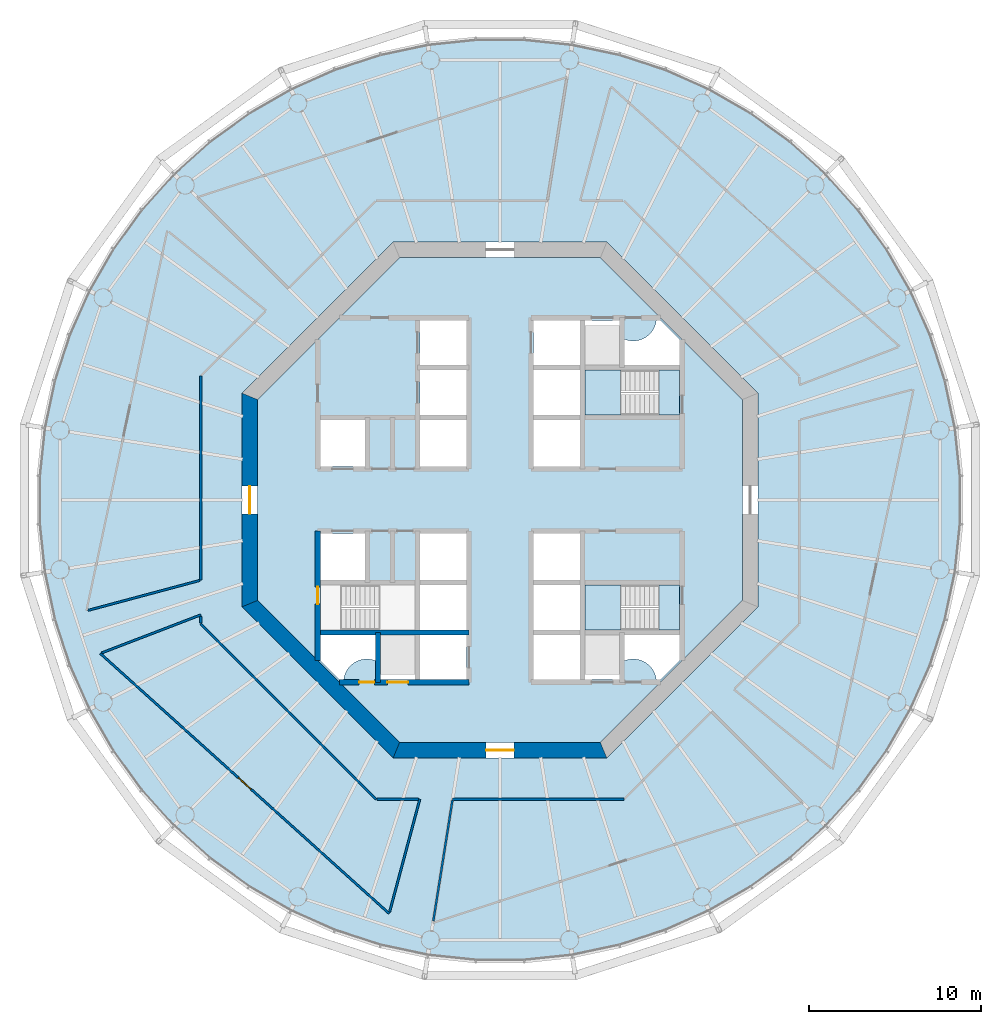
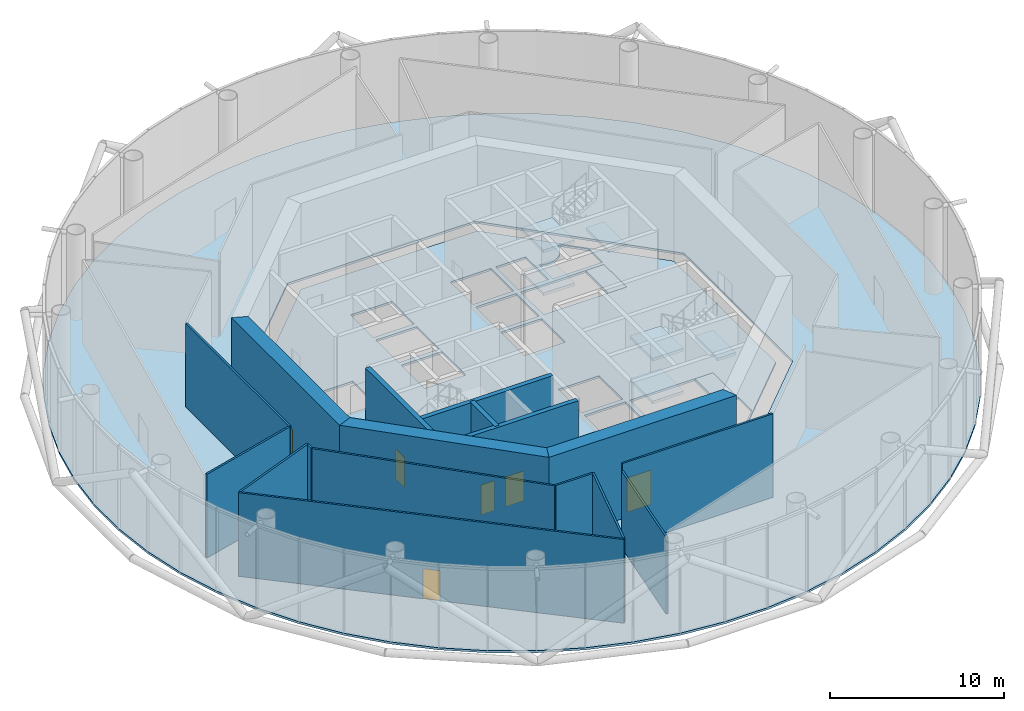
# One storey, part 3 of 14: 17 walls, 10 slabs, 6 doors, 6 openings, 2 elements without a shape of their own.
"""IFC4 building model written with IfcOpenShell, lengths in metres."""

from ifc_helpers import new_model, si_unit, direction, frame, frame_2d, origin, place, context, subcontext, project, spatial, polyline, rectangle, outline, extrude, material, layer, layer_set, type_object, element, fill, aggregate, save


model = new_model("IFC4")

# Units and contexts
model_context = context("Model", 3, precision=1e-05, world=origin(), true_north=direction((0.0, 1.0)))
body_context = subcontext(model_context, "Body", "Model", "MODEL_VIEW")
ifc_project = project(units=[si_unit("LENGTHUNIT", "METRE"), si_unit("AREAUNIT", "SQUARE_METRE"), si_unit("VOLUMEUNIT", "CUBIC_METRE"), si_unit("PLANEANGLEUNIT", "RADIAN"), si_unit("MASSUNIT", "GRAM", prefix="KILO")], contexts=[model_context])

# Site, building, storey
site_placement = place(None, origin())
site = spatial("IfcSite", under=ifc_project, at=site_placement, CompositionType="ELEMENT")
building_placement = place(site_placement, origin())
building = spatial("IfcBuilding", under=site, at=building_placement, Name="Entoto Ring Tower", CompositionType="ELEMENT")
storey_placement = place(building_placement, frame((0.0, 0.0, 262.0)))
storey = spatial("IfcBuildingStorey", under=building, at=storey_placement, Name="L60", CompositionType="ELEMENT", Elevation=262.0)

# Slabs
ifc_material_1 = material(Name="Concrete C30/37", Category="concrete")
ifc_layer_1 = layer(ifc_material_1, 0.14990234375)
ifc_layer_set_1 = layer_set([ifc_layer_1], Name="Concrete C30/37")
slab_type_1 = type_object("IfcSlabType", Name="Composite floor slab 150 mm", PredefinedType="FLOOR", material=ifc_layer_set_1)
slab_1_placement = place(storey_placement, frame((0.0, 0.0, -0.14990234375)))
element("IfcSlab", 1, at=slab_1_placement, inside=storey, type_object=slab_type_1, Name="Floor slab L60", PredefinedType="FLOOR", context=body_context, shape_type="SweptSolid", body=[
    extrude(outline(polyline([(116.56884765625, 84.2080078125), (115.9833984375, 86.962158203125), (115.11328125, 89.64013671875), (113.968017578125, 92.21240234375), (112.560302734375, 94.65087890625), (110.9052734375, 96.9287109375), (109.021240234375, 99.021240234375), (106.9287109375, 100.9052734375), (104.65087890625, 102.560302734375), (102.21240234375, 103.968017578125), (99.64013671875, 105.11328125), (96.962158203125, 105.9833984375), (94.2080078125, 106.56884765625), (91.407958984375, 106.863037109375), (88.592041015625, 106.863037109375), (85.7919921875, 106.56884765625), (83.037841796875, 105.9833984375), (80.35986328125, 105.11328125), (77.78759765625, 103.968017578125), (75.34912109375, 102.560302734375), (73.0712890625, 100.9052734375), (70.978759765625, 99.021240234375), (69.0947265625, 96.9287109375), (67.439697265625, 94.65087890625), (66.031982421875, 92.21240234375), (64.88671875, 89.64013671875), (64.0166015625, 86.962158203125), (63.43115234375, 84.2080078125), (63.136962890625, 81.407958984375), (63.136962890625, 78.592041015625), (63.43115234375, 75.7919921875), (64.0166015625, 73.037841796875), (64.88671875, 70.35986328125), (66.031982421875, 67.78759765625), (67.439697265625, 65.34912109375), (69.0947265625, 63.0712890625), (70.978759765625, 60.978759765625), (73.0712890625, 59.0947265625), (75.34912109375, 57.439697265625), (77.78759765625, 56.031982421875), (80.35986328125, 54.88671875), (83.037841796875, 54.0166015625), (85.7919921875, 53.43115234375), (88.592041015625, 53.136962890625), (91.407958984375, 53.136962890625), (94.2080078125, 53.43115234375), (96.962158203125, 54.0166015625), (99.64013671875, 54.88671875), (102.21240234375, 56.031982421875), (104.65087890625, 57.439697265625), (106.9287109375, 59.0947265625), (109.021240234375, 60.978759765625), (110.9052734375, 63.0712890625), (112.560302734375, 65.34912109375), (113.968017578125, 67.78759765625), (115.11328125, 70.35986328125), (115.9833984375, 73.037841796875), (116.56884765625, 75.7919921875), (116.863037109375, 78.592041015625), (116.863037109375, 81.407958984375), (116.56884765625, 84.2080078125)]), holes=[polyline([(105.0, 73.786865234375), (105.0, 86.213134765625), (96.213134765625, 95.0), (83.786865234375, 95.0), (75.0, 86.213134765625), (75.0, 73.786865234375), (83.786865234375, 65.0), (96.213134765625, 65.0), (105.0, 73.786865234375)])]), origin(), (0.0, 0.0, 1.0), 0.14990234375),
])
ifc_material_2 = material(Name="Concrete C40/50", Category="concrete")
ifc_layer_2 = layer(ifc_material_2, 0.14990234375)
ifc_layer_set_2 = layer_set([ifc_layer_2], Name="Concrete C40/50")
slab_type_2 = type_object("IfcSlabType", Name="Core floor slab 150 mm reinforced concrete C40/50", PredefinedType="FLOOR", material=ifc_layer_set_2)
slab_2_placement = place(storey_placement, frame((0.0, 0.0, -0.14990234375)))
element("IfcSlab", 2, at=slab_2_placement, inside=storey, type_object=slab_type_2, Name="Core floor L60", PredefinedType="FLOOR", context=body_context, shape_type="SweptSolid", body=[
    extrude(outline(polyline([(104.10009765625, 74.15966796875), (104.10009765625, 85.84033203125), (95.84033203125, 94.10009765625), (84.15966796875, 94.10009765625), (75.89990234375, 85.84033203125), (75.89990234375, 74.15966796875), (84.15966796875, 65.89990234375), (95.84033203125, 65.89990234375), (104.10009765625, 74.15966796875)]), holes=[polyline([(100.449951171875, 84.949951171875), (100.449951171875, 87.550048828125), (94.949951171875, 87.550048828125), (94.949951171875, 84.949951171875), (100.449951171875, 84.949951171875)]), polyline([(85.050048828125, 72.449951171875), (85.050048828125, 75.050048828125), (79.550048828125, 75.050048828125), (79.550048828125, 72.449951171875), (85.050048828125, 72.449951171875)]), polyline([(100.449951171875, 72.449951171875), (100.449951171875, 75.050048828125), (94.949951171875, 75.050048828125), (94.949951171875, 72.449951171875), (100.449951171875, 72.449951171875)]), polyline([(91.949951171875, 84.949951171875), (94.64990234375, 84.949951171875), (94.64990234375, 87.550048828125), (91.949951171875, 87.550048828125), (91.949951171875, 84.949951171875)]), polyline([(91.949951171875, 72.449951171875), (94.64990234375, 72.449951171875), (94.64990234375, 75.050048828125), (91.949951171875, 75.050048828125), (91.949951171875, 72.449951171875)]), polyline([(91.949951171875, 69.550048828125), (94.64990234375, 69.550048828125), (94.64990234375, 72.14990234375), (91.949951171875, 72.14990234375), (91.949951171875, 69.550048828125)]), polyline([(85.35009765625, 72.449951171875), (88.050048828125, 72.449951171875), (88.050048828125, 75.050048828125), (85.35009765625, 75.050048828125), (85.35009765625, 72.449951171875)]), polyline([(85.35009765625, 81.949951171875), (88.050048828125, 81.949951171875), (88.050048828125, 84.64990234375), (85.35009765625, 84.64990234375), (85.35009765625, 81.949951171875)]), polyline([(91.949951171875, 75.35009765625), (94.64990234375, 75.35009765625), (94.64990234375, 78.050048828125), (91.949951171875, 78.050048828125), (91.949951171875, 75.35009765625)]), polyline([(94.949951171875, 90.449951171875), (94.949951171875, 87.85009765625), (96.949951171875, 87.85009765625), (96.949951171875, 90.449951171875), (94.949951171875, 90.449951171875)]), polyline([(94.949951171875, 72.14990234375), (94.949951171875, 69.550048828125), (96.949951171875, 69.550048828125), (96.949951171875, 72.14990234375), (94.949951171875, 72.14990234375)]), polyline([(83.050048828125, 72.14990234375), (83.050048828125, 69.550048828125), (85.050048828125, 69.550048828125), (85.050048828125, 72.14990234375), (83.050048828125, 72.14990234375)]), polyline([(79.550048828125, 81.949951171875), (82.14990234375, 81.949951171875), (82.14990234375, 84.64990234375), (79.550048828125, 84.64990234375), (79.550048828125, 81.949951171875)]), polyline([(79.550048828125, 75.35009765625), (82.14990234375, 75.35009765625), (82.14990234375, 78.050048828125), (79.550048828125, 78.050048828125), (79.550048828125, 75.35009765625)]), polyline([(91.949951171875, 87.85009765625), (94.64990234375, 87.85009765625), (94.64990234375, 90.449951171875), (91.949951171875, 90.449951171875), (91.949951171875, 87.85009765625)]), polyline([(85.35009765625, 69.550048828125), (88.050048828125, 69.550048828125), (88.050048828125, 72.14990234375), (85.35009765625, 72.14990234375), (85.35009765625, 69.550048828125)]), polyline([(91.949951171875, 81.949951171875), (94.64990234375, 81.949951171875), (94.64990234375, 84.64990234375), (91.949951171875, 84.64990234375), (91.949951171875, 81.949951171875)]), polyline([(85.35009765625, 75.35009765625), (88.050048828125, 75.35009765625), (88.050048828125, 78.050048828125), (85.35009765625, 78.050048828125), (85.35009765625, 75.35009765625)]), polyline([(85.35009765625, 84.949951171875), (88.050048828125, 84.949951171875), (88.050048828125, 87.550048828125), (85.35009765625, 87.550048828125), (85.35009765625, 84.949951171875)]), polyline([(85.35009765625, 87.85009765625), (88.050048828125, 87.85009765625), (88.050048828125, 90.449951171875), (85.35009765625, 90.449951171875), (85.35009765625, 87.85009765625)]), polyline([(97.199951171875, 89.368408203125), (97.199951171875, 87.800048828125), (100.5, 87.800048828125), (100.5, 89.299072265625), (99.299072265625, 90.5), (99.09521484375, 90.5), (99.093505859375, 90.4677734375), (99.07421875, 90.336669921875), (99.0419921875, 90.2080078125), (98.997314453125, 90.08349609375), (98.940673828125, 89.963623046875), (98.87255859375, 89.85009765625), (98.793701171875, 89.74365234375), (98.70458984375, 89.6455078125), (98.6064453125, 89.556396484375), (98.5, 89.4775390625), (98.386474609375, 89.409423828125), (98.2666015625, 89.352783203125), (98.141845703125, 89.30810546875), (98.013427734375, 89.27587890625), (97.88232421875, 89.256591796875), (97.75, 89.25), (97.61767578125, 89.256591796875), (97.486572265625, 89.27587890625), (97.358154296875, 89.30810546875), (97.2333984375, 89.352783203125), (97.199951171875, 89.368408203125)]), polyline([(80.700927734375, 69.5), (80.90478515625, 69.5), (80.906494140625, 69.5322265625), (80.92578125, 69.663330078125), (80.9580078125, 69.7919921875), (81.002685546875, 69.91650390625), (81.059326171875, 70.036376953125), (81.12744140625, 70.14990234375), (81.206298828125, 70.25634765625), (81.29541015625, 70.3544921875), (81.3935546875, 70.443603515625), (81.5, 70.5224609375), (81.613525390625, 70.590576171875), (81.7333984375, 70.647216796875), (81.858154296875, 70.69189453125), (81.986572265625, 70.72412109375), (82.11767578125, 70.743408203125), (82.25, 70.75), (82.38232421875, 70.743408203125), (82.513427734375, 70.72412109375), (82.641845703125, 70.69189453125), (82.7666015625, 70.647216796875), (82.800048828125, 70.631591796875), (82.800048828125, 72.199951171875), (79.5, 72.199951171875), (79.5, 70.700927734375), (80.700927734375, 69.5)]), polyline([(99.09521484375, 69.5), (99.299072265625, 69.5), (100.5, 70.700927734375), (100.5, 72.199951171875), (97.199951171875, 72.199951171875), (97.199951171875, 70.631591796875), (97.2333984375, 70.647216796875), (97.358154296875, 70.69189453125), (97.486572265625, 70.72412109375), (97.61767578125, 70.743408203125), (97.75, 70.75), (97.88232421875, 70.743408203125), (98.013427734375, 70.72412109375), (98.141845703125, 70.69189453125), (98.2666015625, 70.647216796875), (98.386474609375, 70.590576171875), (98.5, 70.5224609375), (98.6064453125, 70.443603515625), (98.70458984375, 70.3544921875), (98.793701171875, 70.25634765625), (98.87255859375, 70.14990234375), (98.940673828125, 70.036376953125), (98.997314453125, 69.91650390625), (99.0419921875, 69.7919921875), (99.07421875, 69.663330078125), (99.093505859375, 69.5322265625), (99.09521484375, 69.5)])]), origin(), (0.0, 0.0, 1.0), 0.14990234375),
])

# Stair, slabs
ifc_material_3 = material(Name="Concrete C40/50", Category="concrete")
stair_type = type_object("IfcStairType", Name="Exit stair 1200 mm dog-leg reinforced concrete", PredefinedType="HALF_TURN_STAIR", material=ifc_material_3)
stair_1_placement = place(storey_placement, origin())
stair_1 = element("IfcStair", 3, at=stair_1_placement, inside=storey, type_object=stair_type, Name="Exit stair 1", PredefinedType="HALF_TURN_STAIR")
ifc_material_4 = material(Name="Concrete C40/50", Category="concrete")
ifc_layer_3 = layer(ifc_material_4, 0.199951171875)
ifc_layer_set_3 = layer_set([ifc_layer_3], Name="Concrete C40/50")
slab_type_3 = type_object("IfcSlabType", Name="Stair landing 200 mm reinforced concrete", PredefinedType="LANDING", material=ifc_layer_set_3)
slab_3_placement = place(storey_placement, frame((0.0, 0.0, -0.199951171875)))
slab_3 = element("IfcSlab", 4, at=slab_3_placement, type_object=slab_type_3, Name="ST1 landing 1", PredefinedType="LANDING", context=body_context, shape_type="SweptSolid", body=[
    extrude(outline(polyline([(100.449951171875, 84.949951171875), (100.449951171875, 87.550048828125), (99.25, 87.550048828125), (99.25, 84.949951171875), (100.449951171875, 84.949951171875)])), origin(), (0.0, 0.0, 1.0), 0.199951171875),
])
slab_4_placement = place(storey_placement, frame((0.0, 0.0, 1.300048828125)))
slab_4 = element("IfcSlab", 5, at=slab_4_placement, type_object=slab_type_3, Name="ST1 landing 2", PredefinedType="LANDING", context=body_context, shape_type="SweptSolid", body=[
    extrude(outline(polyline([(94.949951171875, 84.949951171875), (97.010009765625, 84.949951171875), (97.010009765625, 87.550048828125), (94.949951171875, 87.550048828125), (94.949951171875, 84.949951171875)])), origin(), (0.0, 0.0, 1.0), 0.199951171875),
])
slab_5_placement = place(storey_placement, frame((0.0, 0.0, 2.800048828125)))
slab_5 = element("IfcSlab", 6, at=slab_5_placement, type_object=slab_type_3, Name="ST1 landing 3", PredefinedType="LANDING", context=body_context, shape_type="SweptSolid", body=[
    extrude(outline(polyline([(99.25, 84.949951171875), (100.449951171875, 84.949951171875), (100.449951171875, 87.550048828125), (99.25, 87.550048828125), (99.25, 84.949951171875)])), origin(), (0.0, 0.0, 1.0), 0.199951171875),
])
slab_6_placement = place(storey_placement, frame((0.0, 0.0, 4.300048828125)))
slab_6 = element("IfcSlab", 7, at=slab_6_placement, type_object=slab_type_3, Name="ST1 landing 4", PredefinedType="LANDING", context=body_context, shape_type="SweptSolid", body=[
    extrude(outline(polyline([(94.949951171875, 84.949951171875), (97.010009765625, 84.949951171875), (97.010009765625, 87.550048828125), (94.949951171875, 87.550048828125), (94.949951171875, 84.949951171875)])), origin(), (0.0, 0.0, 1.0), 0.199951171875),
])
aggregate(stair_1, [slab_3, slab_4, slab_5, slab_6])

stair_2_placement = place(storey_placement, origin())
stair_2 = element("IfcStair", 8, at=stair_2_placement, inside=storey, type_object=stair_type, Name="Exit stair 3", PredefinedType="HALF_TURN_STAIR")
slab_7_placement = place(storey_placement, frame((0.0, 0.0, -0.199951171875)))
slab_7 = element("IfcSlab", 9, at=slab_7_placement, type_object=slab_type_3, Name="ST3 landing 1", PredefinedType="LANDING", context=body_context, shape_type="SweptSolid", body=[
    extrude(outline(polyline([(100.449951171875, 72.449951171875), (100.449951171875, 75.050048828125), (99.25, 75.050048828125), (99.25, 72.449951171875), (100.449951171875, 72.449951171875)])), origin(), (0.0, 0.0, 1.0), 0.199951171875),
])
slab_8_placement = place(storey_placement, frame((0.0, 0.0, 1.300048828125)))
slab_8 = element("IfcSlab", 10, at=slab_8_placement, type_object=slab_type_3, Name="ST3 landing 2", PredefinedType="LANDING", context=body_context, shape_type="SweptSolid", body=[
    extrude(outline(polyline([(94.949951171875, 72.449951171875), (97.010009765625, 72.449951171875), (97.010009765625, 75.050048828125), (94.949951171875, 75.050048828125), (94.949951171875, 72.449951171875)])), origin(), (0.0, 0.0, 1.0), 0.199951171875),
])
slab_9_placement = place(storey_placement, frame((0.0, 0.0, 2.800048828125)))
slab_9 = element("IfcSlab", 11, at=slab_9_placement, type_object=slab_type_3, Name="ST3 landing 3", PredefinedType="LANDING", context=body_context, shape_type="SweptSolid", body=[
    extrude(outline(polyline([(99.25, 72.449951171875), (100.449951171875, 72.449951171875), (100.449951171875, 75.050048828125), (99.25, 75.050048828125), (99.25, 72.449951171875)])), origin(), (0.0, 0.0, 1.0), 0.199951171875),
])
slab_10_placement = place(storey_placement, frame((0.0, 0.0, 4.300048828125)))
slab_10 = element("IfcSlab", 12, at=slab_10_placement, type_object=slab_type_3, Name="ST3 landing 4", PredefinedType="LANDING", context=body_context, shape_type="SweptSolid", body=[
    extrude(outline(polyline([(94.949951171875, 72.449951171875), (97.010009765625, 72.449951171875), (97.010009765625, 75.050048828125), (94.949951171875, 75.050048828125), (94.949951171875, 72.449951171875)])), origin(), (0.0, 0.0, 1.0), 0.199951171875),
])
aggregate(stair_2, [slab_7, slab_8, slab_9, slab_10])

# Wall
ifc_material_5 = material(Name="Concrete C40/50", Category="concrete")
ifc_layer_4 = layer(ifc_material_5, 0.300048828125)
ifc_layer_set_4 = layer_set([ifc_layer_4], Name="Concrete C40/50")
wall_type_1 = type_object("IfcWallType", Name="Core enclosure wall 300 mm reinforced concrete", PredefinedType="SOLIDWALL", material=ifc_layer_set_4)
wall_1_placement = place(storey_placement, frame((82.89990234375, 69.39990234375, 0.0), z_axis=(0.0, 0.0, 1.0), x_axis=(0.0, 1.0, 0.0)))
element("IfcWall", 13, at=wall_1_placement, inside=storey, type_object=wall_type_1, Name="wall-L60-015", PredefinedType="SOLIDWALL", context=body_context, shape_type="SweptSolid", body=[
    extrude(rectangle(XDim=2.900146484375, YDim=0.300048828125, at=frame_2d((1.4501953125, 0.0))), origin(), (0.0, 0.0, 1.0), 5.85009765625),
])

# Wall, opening, door
wall_2_placement = place(storey_placement, frame((79.39990234375, 70.65966796875, 0.0), z_axis=(0.0, 0.0, 1.0), x_axis=(0.0, 1.0, 0.0)))
wall_2 = element("IfcWall", 14, at=wall_2_placement, inside=storey, type_object=wall_type_1, Name="wall-L60-018", PredefinedType="SOLIDWALL", context=body_context, shape_type="SweptSolid", body=[
    extrude(rectangle(XDim=7.540283203125, YDim=0.300048828125, at=frame_2d((3.77001953125, 0.0))), origin(), (0.0, 0.0, 1.0), 5.85009765625),
])
opening_1_placement = place(wall_2_placement, frame((3.290283203125, 0.0, 0.0)))
opening_1 = element("IfcOpeningElement", 15, at=opening_1_placement, cuts=wall_2, Name="Opening K-61", PredefinedType="OPENING", context=body_context, shape_type="SweptSolid", body=[
    extrude(rectangle(XDim=1.0, YDim=2.10009765625, at=frame_2d((0.5, 1.050048828125))), frame((0.0, 0.16015625, 0.0), z_axis=(0.0, -1.0, 0.0), x_axis=(1.0, 0.0, 0.0)), (0.0, 0.0, 1.0), 0.320068359375),
])
ifc_material_6 = material(Name="Steel door leaf, fire rated", Category="steel")
ifc_layer_5 = layer(ifc_material_6, 0.050048828125)
ifc_layer_set_5 = layer_set([ifc_layer_5], Name="Steel door leaf, fire rated")
door_type_1 = type_object("IfcDoorType", Name="Fire door FD60 1000 x 2100 single leaf", OperationType="NOTDEFINED", PredefinedType="DOOR", material=ifc_layer_set_5)
door_1_placement = place(opening_1_placement, frame((1.0, 0.0, 0.0), z_axis=(0.0, 0.0, 1.0), x_axis=(-1.0, 0.0, 0.0)))
door_1 = element("IfcDoor", 16, at=door_1_placement, inside=storey, type_object=door_type_1, Name="Door K-61", OperationType="SINGLE_SWING_LEFT", OverallHeight=2.10009765625, OverallWidth=1.0, PredefinedType="DOOR", context=body_context, shape_type="SweptSolid", body=[
    extrude(rectangle(XDim=1.0, YDim=2.10009765625, at=frame_2d((0.5, 1.050048828125))), frame((0.0, 0.02490234375, 0.0), z_axis=(0.0, -1.0, 0.0), x_axis=(1.0, 0.0, 0.0)), (0.0, 0.0, 1.0), 0.050048828125),
])
fill(opening_1, door_1)

# Wall, openings, doors
wall_3_placement = place(storey_placement, frame((80.65966796875, 69.39990234375, 0.0), z_axis=(0.0, 0.0, 1.0), x_axis=(1.0, 0.0, 0.0)))
wall_3 = element("IfcWall", 17, at=wall_3_placement, inside=storey, type_object=wall_type_1, Name="wall-L60-020", PredefinedType="SOLIDWALL", context=body_context, shape_type="SweptSolid", body=[
    extrude(rectangle(XDim=7.540283203125, YDim=0.300048828125, at=frame_2d((3.77001953125, 0.0))), origin(), (0.0, 0.0, 1.0), 5.85009765625),
])
opening_2_placement = place(wall_3_placement, frame((2.790283203125, 0.0, 0.0)))
opening_2 = element("IfcOpeningElement", 18, at=opening_2_placement, cuts=wall_3, Name="Opening LD", PredefinedType="OPENING", context=body_context, shape_type="SweptSolid", body=[
    extrude(rectangle(XDim=1.199951171875, YDim=2.10009765625, at=frame_2d((0.60009765625, 1.050048828125))), frame((0.0, 0.16015625, 0.0), z_axis=(0.0, -1.0, 0.0), x_axis=(1.0, 0.0, 0.0)), (0.0, 0.0, 1.0), 0.320068359375),
])
opening_3_placement = place(wall_3_placement, frame((1.140380859375, 0.0, 0.0)))
opening_3 = element("IfcOpeningElement", 19, at=opening_3_placement, cuts=wall_3, Name="Opening K-68", PredefinedType="OPENING", context=body_context, shape_type="SweptSolid", body=[
    extrude(rectangle(XDim=0.89990234375, YDim=2.10009765625, at=frame_2d((0.449951171875, 1.050048828125))), frame((0.0, 0.16015625, 0.0), z_axis=(0.0, -1.0, 0.0), x_axis=(1.0, 0.0, 0.0)), (0.0, 0.0, 1.0), 0.320068359375),
])
ifc_material_7 = material(Name="Steel and glass door leaf", Category="steel")
ifc_layer_6 = layer(ifc_material_7, 0.050048828125)
ifc_layer_set_6 = layer_set([ifc_layer_6], Name="Steel and glass door leaf")
door_type_2 = type_object("IfcDoorType", Name="Landing door 1200 x 2100 sliding", OperationType="DOUBLE_DOOR_SLIDING", PredefinedType="DOOR", material=ifc_layer_set_6)
door_2_placement = place(opening_2_placement, origin())
door_2 = element("IfcDoor", 20, at=door_2_placement, inside=storey, type_object=door_type_2, Name="Landing door LB3-HR", OperationType="SLIDING_TO_RIGHT", OverallHeight=2.10009765625, OverallWidth=1.199951171875, PredefinedType="DOOR", context=body_context, shape_type="SweptSolid", body=[
    extrude(rectangle(XDim=1.199951171875, YDim=2.10009765625, at=frame_2d((0.60009765625, 1.050048828125))), frame((0.0, 0.02490234375, 0.0), z_axis=(0.0, -1.0, 0.0), x_axis=(1.0, 0.0, 0.0)), (0.0, 0.0, 1.0), 0.050048828125),
])
fill(opening_2, door_2)
ifc_material_8 = material(Name="Steel door leaf, fire rated", Category="steel")
ifc_layer_7 = layer(ifc_material_8, 0.050048828125)
ifc_layer_set_7 = layer_set([ifc_layer_7], Name="Steel door leaf, fire rated")
door_type_3 = type_object("IfcDoorType", Name="Riser door FD60 900 x 2100 single leaf", OperationType="NOTDEFINED", PredefinedType="DOOR", material=ifc_layer_set_7)
door_3_placement = place(opening_3_placement, origin())
door_3 = element("IfcDoor", 21, at=door_3_placement, inside=storey, type_object=door_type_3, Name="Door K-68", OperationType="SINGLE_SWING_RIGHT", OverallHeight=2.10009765625, OverallWidth=0.89990234375, PredefinedType="DOOR", context=body_context, shape_type="SweptSolid", body=[
    extrude(rectangle(XDim=0.89990234375, YDim=2.10009765625, at=frame_2d((0.449951171875, 1.050048828125))), frame((0.0, 0.02490234375, 0.0), z_axis=(0.0, -1.0, 0.0), x_axis=(1.0, 0.0, 0.0)), (0.0, 0.0, 1.0), 0.050048828125),
])
fill(opening_3, door_3)

# Wall
wall_4_placement = place(storey_placement, frame((79.39990234375, 72.300048828125, 0.0), z_axis=(0.0, 0.0, 1.0), x_axis=(1.0, 0.0, 0.0)))
element("IfcWall", 22, at=wall_4_placement, inside=storey, type_object=wall_type_1, Name="wall-L60-022", PredefinedType="SOLIDWALL", context=body_context, shape_type="SweptSolid", body=[
    extrude(rectangle(XDim=8.800048828125, YDim=0.300048828125, at=frame_2d((4.39990234375, 0.0))), origin(), (0.0, 0.0, 1.0), 5.85009765625),
])

# Wall, opening, door
ifc_material_9 = material(Name="Concrete C50/60", Category="concrete")
ifc_layer_8 = layer(ifc_material_9, 0.89990234375)
ifc_layer_set_8 = layer_set([ifc_layer_8], Name="Concrete C50/60")
wall_type_2 = type_object("IfcWallType", Name="Core shear wall 900 mm reinforced concrete C50/60", PredefinedType="SHEAR", material=ifc_layer_set_8)
wall_5_placement = place(storey_placement, frame((75.449951171875, 86.02685546875, 0.0), z_axis=(0.0, 0.0, 1.0), x_axis=(0.0, -1.0, 0.0)))
wall_5 = element("IfcWall", 23, at=wall_5_placement, inside=storey, type_object=wall_type_2, Name="wall-L60-core-4", PredefinedType="SHEAR", context=body_context, shape_type="SweptSolid", body=[
    extrude(outline(polyline([(-0.186279296875, -0.449951171875), (12.239990234375, -0.449951171875), (11.867431640625, 0.449951171875), (0.186279296875, 0.449951171875), (-0.186279296875, -0.449951171875)])), origin(), (0.0, 0.0, 1.0), 6.0),
])
opening_4_placement = place(wall_5_placement, frame((5.226806640625, 0.0, 0.0)))
opening_4 = element("IfcOpeningElement", 24, at=opening_4_placement, cuts=wall_5, Name="Opening K-03", PredefinedType="OPENING", context=body_context, shape_type="SweptSolid", body=[
    extrude(rectangle(XDim=1.60009765625, YDim=2.39990234375, at=frame_2d((0.800048828125, 1.199951171875))), frame((0.0, 0.4599609375, 0.0), z_axis=(0.0, -1.0, 0.0), x_axis=(1.0, 0.0, 0.0)), (0.0, 0.0, 1.0), 0.919921875),
])
ifc_material_10 = material(Name="Steel door leaf, fire rated", Category="steel")
ifc_layer_9 = layer(ifc_material_10, 0.050048828125)
ifc_layer_set_9 = layer_set([ifc_layer_9], Name="Steel door leaf, fire rated")
door_type_4 = type_object("IfcDoorType", Name="Entrance door FD60 1600 x 2400 double leaf", OperationType="DOUBLE_DOOR_SINGLE_SWING", PredefinedType="DOOR", material=ifc_layer_set_9)
door_4_placement = place(opening_4_placement, origin())
door_4 = element("IfcDoor", 25, at=door_4_placement, inside=storey, type_object=door_type_4, Name="Entrance door K-03", OperationType="DOUBLE_DOOR_SINGLE_SWING", OverallHeight=2.39990234375, OverallWidth=1.60009765625, PredefinedType="DOOR", context=body_context, shape_type="SweptSolid", body=[
    extrude(rectangle(XDim=1.60009765625, YDim=2.39990234375, at=frame_2d((0.800048828125, 1.199951171875))), frame((0.0, 0.02490234375, 0.0), z_axis=(0.0, -1.0, 0.0), x_axis=(1.0, 0.0, 0.0)), (0.0, 0.0, 1.0), 0.050048828125),
])
fill(opening_4, door_4)

# Wall
wall_6_placement = place(storey_placement, frame((75.449951171875, 73.97314453125, 0.0), z_axis=(0.0, 0.0, 1.0), x_axis=(0.707106781187, -0.707106781187, 0.0)))
element("IfcWall", 26, at=wall_6_placement, inside=storey, type_object=wall_type_2, Name="wall-L60-core-5", PredefinedType="SHEAR", context=body_context, shape_type="SweptSolid", body=[
    extrude(outline(polyline([(-0.186279296875, -0.449951171875), (12.239990234375, -0.449951171875), (11.867431640625, 0.449951171875), (0.186279296875, 0.449951171875), (-0.186279296875, -0.449951171875)])), origin(), (0.0, 0.0, 1.0), 6.0),
])

# Wall, opening, door
wall_7_placement = place(storey_placement, frame((83.97314453125, 65.449951171875, 0.0), z_axis=(0.0, 0.0, 1.0), x_axis=(1.0, 0.0, 0.0)))
wall_7 = element("IfcWall", 27, at=wall_7_placement, inside=storey, type_object=wall_type_2, Name="wall-L60-core-6", PredefinedType="SHEAR", context=body_context, shape_type="SweptSolid", body=[
    extrude(outline(polyline([(-0.186279296875, -0.449951171875), (12.239990234375, -0.449951171875), (11.867431640625, 0.449951171875), (0.186279296875, 0.449951171875), (-0.186279296875, -0.449951171875)])), origin(), (0.0, 0.0, 1.0), 6.0),
])
opening_5_placement = place(wall_7_placement, frame((5.226806640625, 0.0, 0.0)))
opening_5 = element("IfcOpeningElement", 28, at=opening_5_placement, cuts=wall_7, Name="Opening K-04", PredefinedType="OPENING", context=body_context, shape_type="SweptSolid", body=[
    extrude(rectangle(XDim=1.60009765625, YDim=2.39990234375, at=frame_2d((0.800048828125, 1.199951171875))), frame((0.0, 0.4599609375, 0.0), z_axis=(0.0, -1.0, 0.0), x_axis=(1.0, 0.0, 0.0)), (0.0, 0.0, 1.0), 0.919921875),
])
door_5_placement = place(opening_5_placement, origin())
door_5 = element("IfcDoor", 29, at=door_5_placement, inside=storey, type_object=door_type_4, Name="Entrance door K-04", OperationType="DOUBLE_DOOR_SINGLE_SWING", OverallHeight=2.39990234375, OverallWidth=1.60009765625, PredefinedType="DOOR", context=body_context, shape_type="SweptSolid", body=[
    extrude(rectangle(XDim=1.60009765625, YDim=2.39990234375, at=frame_2d((0.800048828125, 1.199951171875))), frame((0.0, 0.02490234375, 0.0), z_axis=(0.0, -1.0, 0.0), x_axis=(1.0, 0.0, 0.0)), (0.0, 0.0, 1.0), 0.050048828125),
])
fill(opening_5, door_5)

ifc_material_11 = material(Name="Fire-resisting plasterboard on steel studs", Category="steel")
ifc_layer_10 = layer(ifc_material_11, 0.125)
ifc_layer_set_10 = layer_set([ifc_layer_10], Name="Fire-resisting plasterboard on steel studs")
wall_type_3 = type_object("IfcWallType", Name="Corridor wall 125 mm one-hour plasterboard on steel studs", PredefinedType="PARTITIONING", material=ifc_layer_set_10)
wall_8_placement = place(storey_placement, frame((83.555419921875, 55.948486328125, 0.0), z_axis=(0.0, 0.0, 1.0), x_axis=(-0.743144320321, 0.669131167391, 0.0)))
wall_8 = element("IfcWall", 30, at=wall_8_placement, inside=storey, type_object=wall_type_3, Name="partition-L60-001", PredefinedType="PARTITIONING", context=body_context, shape_type="SweptSolid", body=[
    extrude(rectangle(XDim=22.608642578125, YDim=0.125, at=frame_2d((11.30419921875, 0.0))), origin(), (0.0, 0.0, 1.0), 5.85009765625),
])
opening_6_placement = place(wall_8_placement, frame((10.804443359375, 0.0, 0.0)))
opening_6 = element("IfcOpeningElement", 31, at=opening_6_placement, cuts=wall_8, Name="Opening A26-D04", PredefinedType="OPENING", context=body_context, shape_type="SweptSolid", body=[
    extrude(rectangle(XDim=1.0, YDim=2.10009765625, at=frame_2d((0.5, 1.050048828125))), frame((0.0, 0.072509765625, 0.0), z_axis=(0.0, -1.0, 0.0), x_axis=(1.0, 0.0, 0.0)), (0.0, 0.0, 1.0), 0.14501953125),
])
ifc_material_12 = material(Name="Fire-resisting timber door set", Category="wood")
door_type_5 = type_object("IfcDoorType", Name="Door 1000 x 2100 single leaf FD30S fire door", OperationType="NOTDEFINED", PredefinedType="DOOR", material=ifc_material_12)
door_6_placement = place(opening_6_placement, frame((1.0, 0.0, 0.0), z_axis=(0.0, 0.0, 1.0), x_axis=(-1.0, 0.0, 0.0)))
door_6 = element("IfcDoor", 32, at=door_6_placement, inside=storey, type_object=door_type_5, Name="Door A26-D04", OperationType="SINGLE_SWING_LEFT", OverallHeight=2.10009765625, OverallWidth=1.0, PredefinedType="DOOR", context=body_context, shape_type="SweptSolid", body=[
    extrude(rectangle(XDim=1.0, YDim=2.10009765625, at=frame_2d((0.5, 1.050048828125))), frame((0.0, 0.02490234375, 0.0), z_axis=(0.0, -1.0, 0.0), x_axis=(1.0, 0.0, 0.0)), (0.0, 0.0, 1.0), 0.050048828125),
])
fill(opening_6, door_6)

# Walls
wall_9_placement = place(storey_placement, frame((82.792724609375, 62.60009765625, 0.0), z_axis=(0.0, 0.0, 1.0), x_axis=(-0.707106781187, 0.707106781187, 0.0)))
element("IfcWall", 33, at=wall_9_placement, inside=storey, type_object=wall_type_3, Name="partition-L60-007", PredefinedType="PARTITIONING", context=body_context, shape_type="SweptSolid", body=[
    extrude(rectangle(XDim=14.41455078125, YDim=0.125, at=frame_2d((7.207275390625, 0.0))), origin(), (0.0, 0.0, 1.0), 5.85009765625),
])
wall_10_placement = place(storey_placement, frame((72.60009765625, 75.337646484375, 0.0), z_axis=(0.0, 0.0, 1.0), x_axis=(0.0, 1.0, 0.0)))
element("IfcWall", 34, at=wall_10_placement, inside=storey, type_object=wall_type_3, Name="partition-L60-009", PredefinedType="PARTITIONING", context=body_context, shape_type="SweptSolid", body=[
    extrude(rectangle(XDim=11.86962890625, YDim=0.125, at=frame_2d((5.934814453125, 0.0))), origin(), (0.0, 0.0, 1.0), 5.85009765625),
])
wall_11_placement = place(storey_placement, frame((87.244140625, 62.60009765625, 0.0), z_axis=(0.0, 0.0, 1.0), x_axis=(1.0, 0.0, 0.0)))
element("IfcWall", 35, at=wall_11_placement, inside=storey, type_object=wall_type_3, Name="partition-L60-012", PredefinedType="PARTITIONING", context=body_context, shape_type="SweptSolid", body=[
    extrude(rectangle(XDim=9.963134765625, YDim=0.125, at=frame_2d((4.9814453125, 0.0))), origin(), (0.0, 0.0, 1.0), 5.85009765625),
])
wall_12_placement = place(storey_placement, frame((66.046875, 73.581787109375, 0.0), z_axis=(0.0, 0.0, 1.0), x_axis=(0.965928117042, 0.258810495744, 0.0)))
element("IfcWall", 36, at=wall_12_placement, inside=storey, type_object=wall_type_3, Name="partition-L60-021", PredefinedType="PARTITIONING", context=body_context, shape_type="SweptSolid", body=[
    extrude(rectangle(XDim=6.723876953125, YDim=0.125, at=frame_2d((3.36181640625, 0.0))), origin(), (0.0, 0.0, 1.0), 5.85009765625),
])
wall_13_placement = place(storey_placement, frame((83.581787109375, 56.046875, 0.0), z_axis=(0.0, 0.0, 1.0), x_axis=(0.258809233657, 0.965928455204, 0.0)))
element("IfcWall", 37, at=wall_13_placement, inside=storey, type_object=wall_type_3, Name="partition-L60-022", PredefinedType="PARTITIONING", context=body_context, shape_type="SweptSolid", body=[
    extrude(rectangle(XDim=6.784423828125, YDim=0.125, at=frame_2d((3.39208984375, 0.0))), origin(), (0.0, 0.0, 1.0), 5.85009765625),
])
wall_14_placement = place(storey_placement, frame((66.848876953125, 71.113037109375, 0.0), z_axis=(0.0, 0.0, 1.0), x_axis=(0.933576250822, 0.358378827363, 0.0)))
element("IfcWall", 38, at=wall_14_placement, inside=storey, type_object=wall_type_3, Name="partition-L60-025", PredefinedType="PARTITIONING", context=body_context, shape_type="SweptSolid", body=[
    extrude(rectangle(XDim=6.160400390625, YDim=0.125, at=frame_2d((3.080078125, 0.0))), origin(), (0.0, 0.0, 1.0), 5.85009765625),
])
wall_15_placement = place(storey_placement, frame((82.836669921875, 62.60009765625, 0.0), z_axis=(0.0, 0.0, 1.0), x_axis=(1.0, 0.0, 0.0)))
element("IfcWall", 39, at=wall_15_placement, inside=storey, type_object=wall_type_3, Name="partition-L60-029", PredefinedType="PARTITIONING", context=body_context, shape_type="SweptSolid", body=[
    extrude(rectangle(XDim=2.419677734375, YDim=0.125, at=frame_2d((1.2099609375, 0.0))), origin(), (0.0, 0.0, 1.0), 5.85009765625),
])
wall_16_placement = place(storey_placement, frame((72.60009765625, 72.836669921875, 0.0), z_axis=(0.0, 0.0, 1.0), x_axis=(0.0, 1.0, 0.0)))
element("IfcWall", 40, at=wall_16_placement, inside=storey, type_object=wall_type_3, Name="partition-L60-031", PredefinedType="PARTITIONING", context=body_context, shape_type="SweptSolid", body=[
    extrude(rectangle(XDim=0.393310546875, YDim=0.125, at=frame_2d((0.19677734375, 0.0))), origin(), (0.0, 0.0, 1.0), 5.85009765625),
])
ifc_material_13 = material(Name="Fire-resisting plasterboard on steel studs", Category="steel")
ifc_layer_11 = layer(ifc_material_13, 0.125)
ifc_layer_set_11 = layer_set([ifc_layer_11], Name="Fire-resisting plasterboard on steel studs")
wall_type_4 = type_object("IfcWallType", Name="Corridor wall 125 mm one-hour plasterboard on steel studs, 5350 mm high", PredefinedType="PARTITIONING", material=ifc_layer_set_11)
wall_17_placement = place(storey_placement, frame((86.12060546875, 55.507080078125, 0.0), z_axis=(0.0, 0.0, 1.0), x_axis=(0.156469688536, 0.987682761098, 0.0)))
element("IfcWall", 41, at=wall_17_placement, inside=storey, type_object=wall_type_4, Name="partition-L60-017", PredefinedType="PARTITIONING", context=body_context, shape_type="SweptSolid", body=[
    extrude(rectangle(XDim=7.11962890625, YDim=0.125, at=frame_2d((3.559814453125, 0.0))), origin(), (0.0, 0.0, 1.0), 5.35009765625),
])

save(model, "model.ifc")
